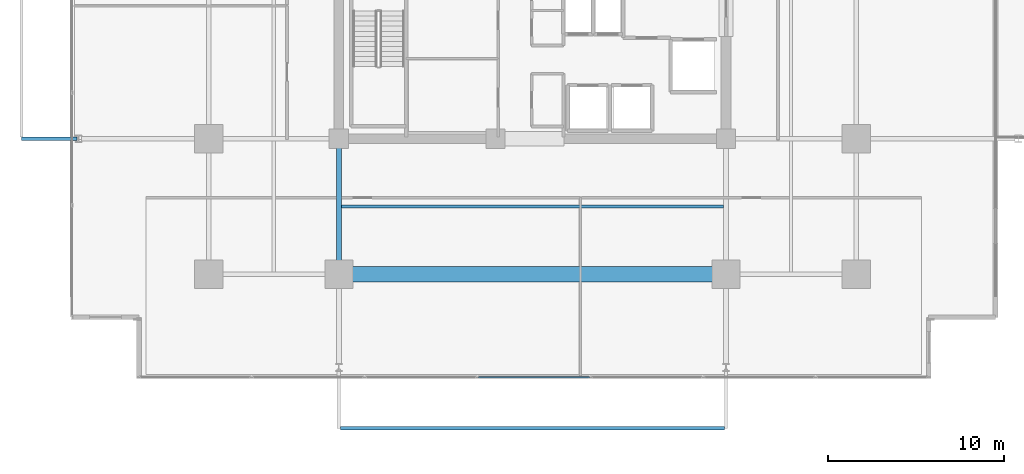
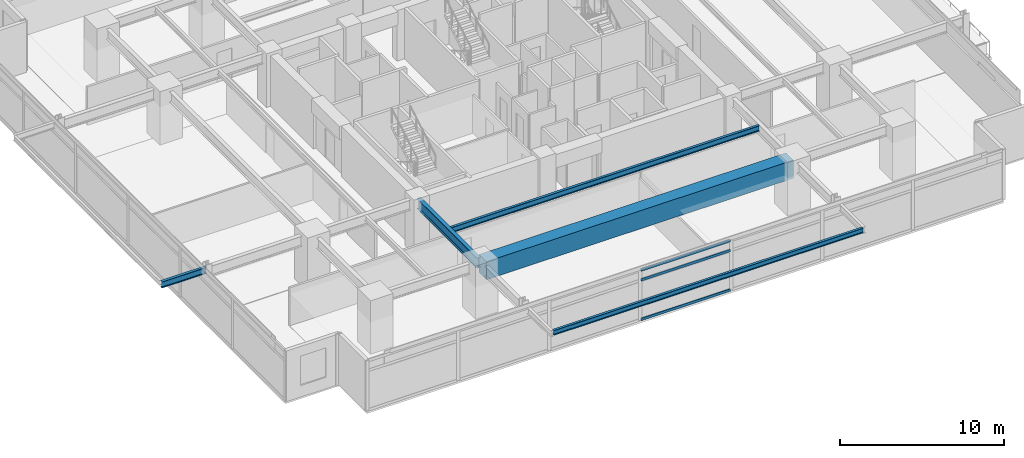
# One storey, part 5 of 24: 5 beams, 3 members, 1 element without a shape of its own.
"""IFC4 building model written with IfcOpenShell, lengths in metres."""

from ifc_helpers import new_model, si_unit, direction, frame, origin, origin_2d, place, context, subcontext, project, spatial, rectangle, hollow_rectangle, i_section, extrude, material, material_profile, profile_set, type_object, element, aggregate, save


model = new_model("IFC4")

# Units and contexts
model_context = context("Model", 3, precision=1e-05, world=origin(), true_north=direction((0.0, 1.0)))
body_context = subcontext(model_context, "Body", "Model", "MODEL_VIEW")
ifc_project = project(units=[si_unit("LENGTHUNIT", "METRE"), si_unit("AREAUNIT", "SQUARE_METRE"), si_unit("VOLUMEUNIT", "CUBIC_METRE"), si_unit("PLANEANGLEUNIT", "RADIAN"), si_unit("MASSUNIT", "GRAM", prefix="KILO")], contexts=[model_context])

# Site, building, storey
site_placement = place(None, origin())
site = spatial("IfcSite", under=ifc_project, at=site_placement, CompositionType="ELEMENT")
building_placement = place(site_placement, origin())
building = spatial("IfcBuilding", under=site, at=building_placement, Name="Kovane Verandah Tower", CompositionType="ELEMENT")
storey_placement = place(building_placement, frame((0.0, 0.0, 132.39990234375)))
storey = spatial("IfcBuildingStorey", under=building, at=storey_placement, Name="L30", CompositionType="ELEMENT", Elevation=132.39990234375)

# Beams
ifc_material_1 = material(Name="Concrete C80/95", Category="concrete")
ifc_material_profile_1 = material_profile(ifc_material_1, rectangle(XDim=0.89990234375, YDim=1.35009765625, at=origin_2d()), Name="RCB900x1350")
ifc_profile_set_1 = profile_set([ifc_material_profile_1], Name="Concrete C80/95")
beam_type_1 = type_object("IfcBeamType", Name="BM-TR-900x1350", PredefinedType="BEAM", material=ifc_profile_set_1)
beam_1_placement = place(storey_placement, frame((29.179931640625, 10.800048828125, 3.10009765625), z_axis=(1.0, 0.0, 0.0), x_axis=(0.0, 1.0, 0.0)))
element("IfcBeam", 1, at=beam_1_placement, inside=storey, type_object=beam_type_1, Name="L30 Primary Tower Girder G-RS2", PredefinedType="BEAM", context=body_context, shape_type="SweptSolid", body=[
    extrude(rectangle(XDim=0.89990234375, YDim=1.35009765625, at=origin_2d()), origin(), (0.0, 0.0, 1.0), 21.64013671875),
])
ifc_material_2 = material(Name="Steel S355", Category="steel")
ifc_material_profile_2 = material_profile(ifc_material_2, i_section(OverallWidth=0.26806640625, OverallDepth=0.769775390625, WebThickness=0.015625, FlangeThickness=0.025390625, FilletRadius=0.0166015625, at=origin_2d()), Name="UB762x267x197")
ifc_profile_set_2 = profile_set([ifc_material_profile_2], Name="Steel S355")
beam_type_2 = type_object("IfcBeamType", Name="BM-UB762x197", PredefinedType="BEAM", material=ifc_profile_set_2)
beam_2_placement = place(storey_placement, frame((29.0, 18.320068359375, 3.39013671875), z_axis=(0.0, -1.0, 0.0), x_axis=(1.0, 0.0, 0.0)))
element("IfcBeam", 2, at=beam_2_placement, inside=storey, type_object=beam_type_2, Name="L30 Primary Tower Girder G-S1", PredefinedType="BEAM", context=body_context, shape_type="SweptSolid", body=[
    extrude(i_section(OverallWidth=0.26806640625, OverallDepth=0.769775390625, WebThickness=0.015625, FlangeThickness=0.025390625, FilletRadius=0.0166015625, at=origin_2d()), origin(), (0.0, 0.0, 1.0), 7.340087890625),
])

# Curtain wall, members
ifc_material_3 = material(Name="Champagne Anodised Aluminium Frame with Low-E Clear Laminated Glass", Category="aluminium")
curtain_wall_type = type_object("IfcCurtainWallType", Name="CW-SYS-03-MID", PredefinedType="NOTDEFINED", material=ifc_material_3)
curtain_wall_placement = place(storey_placement, origin())
curtain_wall = element("IfcCurtainWall", 3, at=curtain_wall_placement, inside=storey, type_object=curtain_wall_type, Name="L30 S Unitised Curtain Wall", PredefinedType="NOTDEFINED")
ifc_material_4 = material(Name="Champagne Anodised Aluminium 6063-T6", Category="aluminium")
ifc_material_profile_3 = material_profile(ifc_material_4, hollow_rectangle(XDim=0.0849609375, YDim=0.18994140625, WallThickness=0.00390625, at=origin_2d()), Name="AL85x190x4")
ifc_profile_set_3 = profile_set([ifc_material_profile_3], Name="Champagne Anodised Aluminium 6063-T6")
member_type = type_object("IfcMemberType", Name="CW-TRN-85x190", PredefinedType="USERDEFINED", material=ifc_profile_set_3)
member_1_placement = place(storey_placement, frame((36.92041015625, 4.9462890625, 0.050048828125), z_axis=(1.0, 0.0, 0.0), x_axis=(0.0, 1.0, 0.0)))
member_1 = element("IfcMember", 4, at=member_1_placement, type_object=member_type, Name="L30 S Unitised Curtain Wall Transom TB Bay 4", ObjectType="TRANSOM", PredefinedType="USERDEFINED", context=body_context, shape_type="SweptSolid", body=[
    extrude(hollow_rectangle(XDim=0.0849609375, YDim=0.18994140625, WallThickness=0.00390625, at=origin_2d()), origin(), (0.0, 0.0, 1.0), 6.310791015625),
])
member_2_placement = place(storey_placement, frame((36.92041015625, 4.9462890625, 2.9951171875), z_axis=(1.0, 0.0, 0.0), x_axis=(0.0, 1.0, 0.0)))
member_2 = element("IfcMember", 5, at=member_2_placement, type_object=member_type, Name="L30 S Unitised Curtain Wall Transom TM Bay 4", ObjectType="TRANSOM", PredefinedType="USERDEFINED", context=body_context, shape_type="SweptSolid", body=[
    extrude(hollow_rectangle(XDim=0.0849609375, YDim=0.18994140625, WallThickness=0.00390625, at=origin_2d()), origin(), (0.0, 0.0, 1.0), 6.310791015625),
])
member_3_placement = place(storey_placement, frame((36.92041015625, 4.9462890625, 3.72509765625), z_axis=(1.0, 0.0, 0.0), x_axis=(0.0, 1.0, 0.0)))
member_3 = element("IfcMember", 6, at=member_3_placement, type_object=member_type, Name="L30 S Unitised Curtain Wall Transom TT Bay 4", ObjectType="TRANSOM", PredefinedType="USERDEFINED", context=body_context, shape_type="SweptSolid", body=[
    extrude(hollow_rectangle(XDim=0.0849609375, YDim=0.18994140625, WallThickness=0.00390625, at=origin_2d()), origin(), (0.0, 0.0, 1.0), 6.310791015625),
])
aggregate(curtain_wall, [member_1, member_2, member_3])

# Beams
ifc_material_profile_4 = material_profile(ifc_material_2, i_section(OverallWidth=0.179443359375, OverallDepth=0.412841796875, WebThickness=0.009521484375, FlangeThickness=0.01611328125, FilletRadius=0.01025390625, at=origin_2d()), Name="UB406x178x74")
ifc_profile_set_4 = profile_set([ifc_material_profile_4], Name="Steel S355")
beam_type_3 = type_object("IfcBeamType", Name="JST-UB406x74", PredefinedType="JOIST", material=ifc_profile_set_4)
beam_3_placement = place(storey_placement, frame((29.132080078125, 14.64990234375, 3.568603515625), z_axis=(1.0, 0.0, 0.0), x_axis=(0.0, 1.0, 0.0)))
element("IfcBeam", 7, at=beam_3_placement, inside=storey, type_object=beam_type_3, Name="L30 Secondary Composite Joist J-S1", PredefinedType="JOIST", context=body_context, shape_type="SweptSolid", body=[
    extrude(i_section(OverallWidth=0.179443359375, OverallDepth=0.412841796875, WebThickness=0.009521484375, FlangeThickness=0.01611328125, FilletRadius=0.01025390625, at=origin_2d()), origin(), (0.0, 0.0, 1.0), 21.73583984375),
])
ifc_material_profile_5 = material_profile(ifc_material_2, i_section(OverallWidth=0.19287109375, OverallDepth=0.46728515625, WebThickness=0.011474609375, FlangeThickness=0.01953125, FilletRadius=0.01025390625, at=origin_2d()), Name="UB457x191x98")
ifc_profile_set_5 = profile_set([ifc_material_profile_5], Name="Steel S355")
beam_type_4 = type_object("IfcBeamType", Name="JST-UB457x98", PredefinedType="JOIST", material=ifc_profile_set_5)
beam_4_placement = place(storey_placement, frame((14.1201171875, 18.5, 3.526611328125), z_axis=(-1.0, 0.0, 0.0), x_axis=(0.0, -1.0, 0.0)))
element("IfcBeam", 8, at=beam_4_placement, inside=storey, type_object=beam_type_4, Name="L30 West Planter Girder 1", PredefinedType="JOIST", context=body_context, shape_type="SweptSolid", body=[
    extrude(i_section(OverallWidth=0.19287109375, OverallDepth=0.46728515625, WebThickness=0.011474609375, FlangeThickness=0.01953125, FilletRadius=0.01025390625, at=origin_2d()), origin(), (0.0, 0.0, 1.0), 3.156494140625),
])
ifc_material_profile_6 = material_profile(ifc_material_2, i_section(OverallWidth=0.173095703125, OverallDepth=0.36328125, WebThickness=0.009033203125, FlangeThickness=0.015625, FilletRadius=0.01025390625, at=origin_2d()), Name="UB356x171x67")
ifc_profile_set_6 = profile_set([ifc_material_profile_6], Name="Steel S355")
beam_type_5 = type_object("IfcBeamType", Name="SPD-UB356x67", PredefinedType="USERDEFINED", material=ifc_profile_set_6)
beam_5_placement = place(storey_placement, frame((29.094482421875, 2.049560546875, 3.578369140625), z_axis=(1.0, 0.0, 0.0), x_axis=(0.0, 1.0, 0.0)))
element("IfcBeam", 9, at=beam_5_placement, inside=storey, type_object=beam_type_5, Name="L30 South Planter Edge Spandrel", ObjectType="SPANDREL", PredefinedType="USERDEFINED", context=body_context, shape_type="SweptSolid", body=[
    extrude(i_section(OverallWidth=0.173095703125, OverallDepth=0.36328125, WebThickness=0.009033203125, FlangeThickness=0.015625, FilletRadius=0.01025390625, at=origin_2d()), origin(), (0.0, 0.0, 1.0), 21.81103515625),
])

save(model, "model.ifc")
